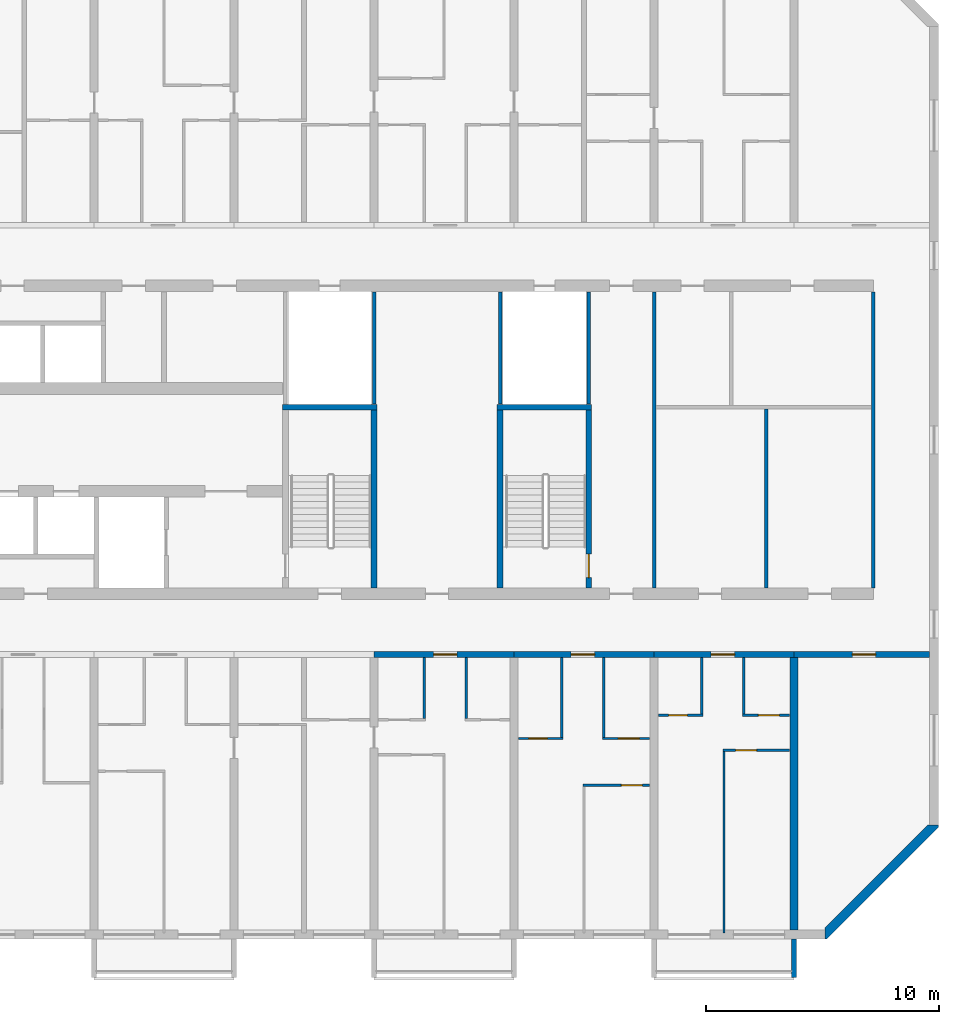
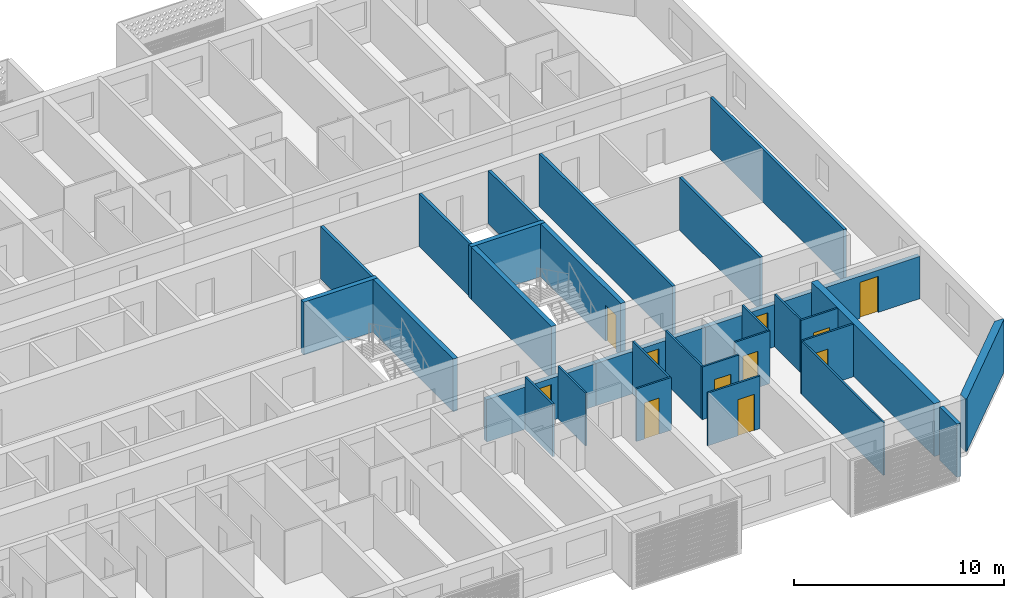
# One storey, part 14 of 31: 31 walls, 11 doors, 11 openings.
"""IFC4 building model written with IfcOpenShell, lengths in metres."""

from ifc_helpers import new_model, si_unit, direction, frame, frame_2d, origin, place, context, subcontext, project, spatial, polyline, rectangle, outline, extrude, source, transform, mapped, material, layer, layer_set, type_object, element, fill, save


model = new_model("IFC4")

# Units and contexts
model_context = context("Model", 3, precision=1e-05, world=origin(), true_north=direction((0.0, 1.0)))
body_context = subcontext(model_context, "Body", "Model", "MODEL_VIEW")
ifc_project = project(units=[si_unit("LENGTHUNIT", "METRE"), si_unit("AREAUNIT", "SQUARE_METRE"), si_unit("VOLUMEUNIT", "CUBIC_METRE"), si_unit("PLANEANGLEUNIT", "RADIAN"), si_unit("MASSUNIT", "GRAM", prefix="KILO")], contexts=[model_context])

# Site, building, storey
site_placement = place(None, origin())
site = spatial("IfcSite", under=ifc_project, at=site_placement, CompositionType="ELEMENT")
building_placement = place(site_placement, origin())
building = spatial("IfcBuilding", under=site, at=building_placement, Name="Poui Terraces", CompositionType="ELEMENT")
storey_placement = place(building_placement, frame((0.0, 0.0, 82.800048828125)))
storey = spatial("IfcBuildingStorey", under=building, at=storey_placement, Name="L22", CompositionType="ELEMENT", Elevation=82.800048828125)

# Walls
ifc_material_1 = material(Name="Fire-rated plasterboard wall")
ifc_layer_1 = layer(ifc_material_1, 0.14990234375)
ifc_layer_set_1 = layer_set([ifc_layer_1], Name="Fire-rated plasterboard wall")
wall_type_1 = type_object("IfcWallType", Name="CORRIDOR WALL 150", PredefinedType="PARTITIONING", material=ifc_layer_set_1)
for number, where, z_axis, x_axis, name in (
    (1, (84.0, 14.860107421875, 0.0), (0.0, 0.0, 1.0), (0.0, 1.0, 0.0), "CORRIDOR WALL 150"),
    (2, (93.39990234375, 14.860107421875, 0.0), (0.0, 0.0, 1.0), (0.0, 1.0, 0.0), "CORRIDOR WALL 150"),
):
    element("IfcWall", number, at=place(storey_placement, frame(where, z_axis=z_axis, x_axis=x_axis)), inside=storey, type_object=wall_type_1, Name=name, PredefinedType="PARTITIONING", context=body_context, shape_type="SweptSolid", body=[
        extrude(rectangle(XDim=12.679931640625, YDim=0.14990234375, at=frame_2d((6.33984375, 0.0))), origin(), (0.0, 0.0, 1.0), 3.06005859375),
    ])

# Wall, opening, door
ifc_material_2 = material(Name="Concrete 65 MPa", Category="concrete")
ifc_layer_2 = layer(ifc_material_2, 0.25)
ifc_layer_set_2 = layer_set([ifc_layer_2], Name="Concrete 65 MPa")
wall_type_2 = type_object("IfcWallType", Name="CORRIDOR WALL 250 65MPa", PredefinedType="SHEAR", material=ifc_layer_set_2)
wall_1_placement = place(storey_placement, frame((72.0, 12.0, 0.0), z_axis=(0.0, 0.0, 1.0), x_axis=(1.0, 0.0, 0.0)))
wall_1 = element("IfcWall", 3, at=wall_1_placement, inside=storey, type_object=wall_type_2, Name="CORRIDOR WALL LINE B BAY 12", PredefinedType="SHEAR", context=body_context, shape_type="SweptSolid", body=[
    extrude(rectangle(XDim=6.0, YDim=0.25, at=frame_2d((3.0, 0.0))), origin(), (0.0, 0.0, 1.0), 2.4599609375),
])
opening_1_placement = place(wall_1_placement, frame((2.550048828125, 0.0, 0.0)))
opening_1 = element("IfcOpeningElement", 4, at=opening_1_placement, cuts=wall_1, Name="Opening FD30S", PredefinedType="OPENING", context=body_context, shape_type="SweptSolid", body=[
    extrude(rectangle(XDim=1.0, YDim=2.10009765625, at=frame_2d((0.5, 1.050048828125))), frame((0.0, 0.135009765625, 0.0), z_axis=(0.0, -1.0, 0.0), x_axis=(1.0, 0.0, 0.0)), (0.0, 0.0, 1.0), 0.27001953125),
])
ifc_material_3 = material(Name="Steel fire door", Category="steel")
door_type_1 = type_object("IfcDoorType", Name="FLAT ENTRANCE DOOR 1000 X 2100", OperationType="NOTDEFINED", PredefinedType="DOOR", material=ifc_material_3)
door_1_placement = place(opening_1_placement, frame((1.0, 0.0, 0.0), z_axis=(0.0, 0.0, 1.0), x_axis=(-1.0, 0.0, 0.0)))
door_1 = element("IfcDoor", 5, at=door_1_placement, inside=storey, type_object=door_type_1, Name="FLAT ENTRANCE DOOR 125", OperationType="SINGLE_SWING_LEFT", OverallHeight=2.10009765625, OverallWidth=1.0, PredefinedType="DOOR", context=body_context, shape_type="SweptSolid", body=[
    extrude(rectangle(XDim=1.0, YDim=2.10009765625, at=frame_2d((0.5, 1.050048828125))), frame((0.0, 0.02490234375, 0.0), z_axis=(0.0, -1.0, 0.0), x_axis=(1.0, 0.0, 0.0)), (0.0, 0.0, 1.0), 0.050048828125),
])
fill(opening_1, door_1)

wall_2_placement = place(storey_placement, frame((78.0, 12.0, 0.0), z_axis=(0.0, 0.0, 1.0), x_axis=(1.0, 0.0, 0.0)))
wall_2 = element("IfcWall", 6, at=wall_2_placement, inside=storey, type_object=wall_type_2, Name="CORRIDOR WALL LINE B BAY 13", PredefinedType="SHEAR", context=body_context, shape_type="SweptSolid", body=[
    extrude(rectangle(XDim=6.0, YDim=0.25, at=frame_2d((3.0, 0.0))), origin(), (0.0, 0.0, 1.0), 2.4599609375),
])
opening_2_placement = place(wall_2_placement, frame((2.449951171875, 0.0, 0.0)))
opening_2 = element("IfcOpeningElement", 7, at=opening_2_placement, cuts=wall_2, Name="Opening FD30S", PredefinedType="OPENING", context=body_context, shape_type="SweptSolid", body=[
    extrude(rectangle(XDim=1.0, YDim=2.10009765625, at=frame_2d((0.5, 1.050048828125))), frame((0.0, 0.135009765625, 0.0), z_axis=(0.0, -1.0, 0.0), x_axis=(1.0, 0.0, 0.0)), (0.0, 0.0, 1.0), 0.27001953125),
])
door_2_placement = place(opening_2_placement, frame((1.0, 0.0, 0.0), z_axis=(0.0, 0.0, 1.0), x_axis=(-1.0, 0.0, 0.0)))
door_2 = element("IfcDoor", 8, at=door_2_placement, inside=storey, type_object=door_type_1, Name="FLAT ENTRANCE DOOR 128", OperationType="SINGLE_SWING_RIGHT", OverallHeight=2.10009765625, OverallWidth=1.0, PredefinedType="DOOR", context=body_context, shape_type="SweptSolid", body=[
    extrude(rectangle(XDim=1.0, YDim=2.10009765625, at=frame_2d((0.5, 1.050048828125))), frame((0.0, 0.02490234375, 0.0), z_axis=(0.0, -1.0, 0.0), x_axis=(1.0, 0.0, 0.0)), (0.0, 0.0, 1.0), 0.050048828125),
])
fill(opening_2, door_2)

wall_3_placement = place(storey_placement, frame((84.0, 12.0, 0.0), z_axis=(0.0, 0.0, 1.0), x_axis=(1.0, 0.0, 0.0)))
wall_3 = element("IfcWall", 9, at=wall_3_placement, inside=storey, type_object=wall_type_2, Name="CORRIDOR WALL LINE B BAY 14", PredefinedType="SHEAR", context=body_context, shape_type="SweptSolid", body=[
    extrude(rectangle(XDim=6.0, YDim=0.25, at=frame_2d((3.0, 0.0))), origin(), (0.0, 0.0, 1.0), 2.4599609375),
])
opening_3_placement = place(wall_3_placement, frame((2.449951171875, 0.0, 0.0)))
opening_3 = element("IfcOpeningElement", 10, at=opening_3_placement, cuts=wall_3, Name="Opening FD30S", PredefinedType="OPENING", context=body_context, shape_type="SweptSolid", body=[
    extrude(rectangle(XDim=1.0, YDim=2.10009765625, at=frame_2d((0.5, 1.050048828125))), frame((0.0, 0.135009765625, 0.0), z_axis=(0.0, -1.0, 0.0), x_axis=(1.0, 0.0, 0.0)), (0.0, 0.0, 1.0), 0.27001953125),
])
door_3_placement = place(opening_3_placement, frame((1.0, 0.0, 0.0), z_axis=(0.0, 0.0, 1.0), x_axis=(-1.0, 0.0, 0.0)))
door_3 = element("IfcDoor", 11, at=door_3_placement, inside=storey, type_object=door_type_1, Name="FLAT ENTRANCE DOOR 132", OperationType="SINGLE_SWING_RIGHT", OverallHeight=2.10009765625, OverallWidth=1.0, PredefinedType="DOOR", context=body_context, shape_type="SweptSolid", body=[
    extrude(rectangle(XDim=1.0, YDim=2.10009765625, at=frame_2d((0.5, 1.050048828125))), frame((0.0, 0.02490234375, 0.0), z_axis=(0.0, -1.0, 0.0), x_axis=(1.0, 0.0, 0.0)), (0.0, 0.0, 1.0), 0.050048828125),
])
fill(opening_3, door_3)

wall_4_placement = place(storey_placement, frame((90.0, 12.0, 0.0), z_axis=(0.0, 0.0, 1.0), x_axis=(1.0, 0.0, 0.0)))
wall_4 = element("IfcWall", 12, at=wall_4_placement, inside=storey, type_object=wall_type_2, Name="CORRIDOR WALL LINE B BAY 15", PredefinedType="SHEAR", context=body_context, shape_type="SweptSolid", body=[
    extrude(rectangle(XDim=5.800048828125, YDim=0.25, at=frame_2d((2.89990234375, 0.0))), origin(), (0.0, 0.0, 1.0), 2.4599609375),
])
opening_4_placement = place(wall_4_placement, frame((2.5, 0.0, 0.0)))
opening_4 = element("IfcOpeningElement", 13, at=opening_4_placement, cuts=wall_4, Name="Opening D100", PredefinedType="OPENING", context=body_context, shape_type="SweptSolid", body=[
    extrude(rectangle(XDim=1.0, YDim=2.10009765625, at=frame_2d((0.5, 1.050048828125))), frame((0.0, 0.135009765625, 0.0), z_axis=(0.0, -1.0, 0.0), x_axis=(1.0, 0.0, 0.0)), (0.0, 0.0, 1.0), 0.27001953125),
])
ifc_material_4 = material(Name="Solid core timber door", Category="wood")
door_type_2 = type_object("IfcDoorType", Name="ACCESSIBLE INTERNAL DOOR 1000 X 2100", OperationType="NOTDEFINED", PredefinedType="DOOR", material=ifc_material_4)
door_4_placement = place(opening_4_placement, frame((1.0, 0.0, 0.0), z_axis=(0.0, 0.0, 1.0), x_axis=(-1.0, 0.0, 0.0)))
door_4 = element("IfcDoor", 14, at=door_4_placement, inside=storey, type_object=door_type_2, Name="ACCESSIBLE INTERNAL DOOR 135", OperationType="SINGLE_SWING_RIGHT", OverallHeight=2.10009765625, OverallWidth=1.0, PredefinedType="DOOR", context=body_context, shape_type="SweptSolid", body=[
    extrude(rectangle(XDim=1.0, YDim=2.10009765625, at=frame_2d((0.5, 1.050048828125))), frame((0.0, 0.02490234375, 0.0), z_axis=(0.0, -1.0, 0.0), x_axis=(1.0, 0.0, 0.0)), (0.0, 0.0, 1.0), 0.050048828125),
])
fill(opening_4, door_4)

# Wall
ifc_layer_3 = layer(ifc_material_2, 0.35009765625)
ifc_layer_set_3 = layer_set([ifc_layer_3], Name="Concrete 65 MPa")
wall_type_3 = type_object("IfcWallType", Name="CROSS WALL 350 65MPa", PredefinedType="SHEAR", material=ifc_layer_set_3)
wall_5_placement = place(storey_placement, frame((90.0, 0.199951171875, 0.0), z_axis=(0.0, 0.0, 1.0), x_axis=(0.0, 1.0, 0.0)))
element("IfcWall", 15, at=wall_5_placement, inside=storey, type_object=wall_type_3, Name="CROSS WALL LINE 16 SOUTH", PredefinedType="SHEAR", context=body_context, shape_type="SweptSolid", body=[
    extrude(rectangle(XDim=11.675048828125, YDim=0.35009765625, at=frame_2d((5.83740234375, 0.0))), origin(), (0.0, 0.0, 1.0), 3.06005859375),
])

# Wall, opening, door
ifc_material_5 = material(Name="Plasterboard partition")
ifc_layer_4 = layer(ifc_material_5, 0.10009765625)
ifc_layer_set_4 = layer_set([ifc_layer_4], Name="Plasterboard partition")
wall_type_4 = type_object("IfcWallType", Name="FLAT PARTITION 100", PredefinedType="PARTITIONING", material=ifc_layer_set_4)
wall_6_placement = place(storey_placement, frame((80.949951171875, 6.39990234375, 0.0), z_axis=(0.0, 0.0, 1.0), x_axis=(1.0, 0.0, 0.0)))
wall_6 = element("IfcWall", 16, at=wall_6_placement, inside=storey, type_object=wall_type_4, Name="FLAT PARTITION 100", PredefinedType="PARTITIONING", context=body_context, shape_type="SweptSolid", body=[
    extrude(rectangle(XDim=2.864990234375, YDim=0.10009765625, at=frame_2d((1.4326171875, 0.0))), origin(), (0.0, 0.0, 1.0), 3.06005859375),
])
opening_5_placement = place(wall_6_placement, frame((1.64990234375, 0.0, 0.0)))
opening_5 = element("IfcOpeningElement", 17, at=opening_5_placement, cuts=wall_6, Name="Opening D90", PredefinedType="OPENING", context=body_context, shape_type="SweptSolid", body=[
    extrude(rectangle(XDim=0.89990234375, YDim=2.10009765625, at=frame_2d((0.449951171875, 1.050048828125))), frame((0.0, 0.06005859375, 0.0), z_axis=(0.0, -1.0, 0.0), x_axis=(1.0, 0.0, 0.0)), (0.0, 0.0, 1.0), 0.1201171875),
])
door_type_3 = type_object("IfcDoorType", Name="INTERNAL DOOR 900 X 2100", OperationType="NOTDEFINED", PredefinedType="DOOR", material=ifc_material_4)
door_5_placement = place(opening_5_placement, origin())
door_5 = element("IfcDoor", 18, at=door_5_placement, inside=storey, type_object=door_type_3, Name="INTERNAL DOOR 130", OperationType="SINGLE_SWING_LEFT", OverallHeight=2.10009765625, OverallWidth=0.89990234375, PredefinedType="DOOR", context=body_context, shape_type="SweptSolid", body=[
    extrude(rectangle(XDim=0.89990234375, YDim=2.10009765625, at=frame_2d((0.449951171875, 1.050048828125))), frame((0.0, 0.02490234375, 0.0), z_axis=(0.0, -1.0, 0.0), x_axis=(1.0, 0.0, 0.0)), (0.0, 0.0, 1.0), 0.050048828125),
])
fill(opening_5, door_5)

wall_7_placement = place(storey_placement, frame((86.949951171875, 7.89990234375, 0.0), z_axis=(0.0, 0.0, 1.0), x_axis=(1.0, 0.0, 0.0)))
wall_7 = element("IfcWall", 19, at=wall_7_placement, inside=storey, type_object=wall_type_4, Name="FLAT PARTITION 100", PredefinedType="PARTITIONING", context=body_context, shape_type="SweptSolid", body=[
    extrude(rectangle(XDim=2.864990234375, YDim=0.10009765625, at=frame_2d((1.4326171875, 0.0))), origin(), (0.0, 0.0, 1.0), 3.06005859375),
])
opening_6_placement = place(wall_7_placement, frame((0.550048828125, 0.0, 0.0)))
opening_6 = element("IfcOpeningElement", 20, at=opening_6_placement, cuts=wall_7, Name="Opening D90", PredefinedType="OPENING", context=body_context, shape_type="SweptSolid", body=[
    extrude(rectangle(XDim=0.89990234375, YDim=2.10009765625, at=frame_2d((0.449951171875, 1.050048828125))), frame((0.0, 0.06005859375, 0.0), z_axis=(0.0, -1.0, 0.0), x_axis=(1.0, 0.0, 0.0)), (0.0, 0.0, 1.0), 0.1201171875),
])
door_6_placement = place(opening_6_placement, origin())
door_6 = element("IfcDoor", 21, at=door_6_placement, inside=storey, type_object=door_type_3, Name="INTERNAL DOOR 133", OperationType="SINGLE_SWING_RIGHT", OverallHeight=2.10009765625, OverallWidth=0.89990234375, PredefinedType="DOOR", context=body_context, shape_type="SweptSolid", body=[
    extrude(rectangle(XDim=0.89990234375, YDim=2.10009765625, at=frame_2d((0.449951171875, 1.050048828125))), frame((0.0, 0.02490234375, 0.0), z_axis=(0.0, -1.0, 0.0), x_axis=(1.0, 0.0, 0.0)), (0.0, 0.0, 1.0), 0.050048828125),
])
fill(opening_6, door_6)

wall_8_placement = place(storey_placement, frame((78.18505859375, 8.39990234375, 0.0), z_axis=(0.0, 0.0, 1.0), x_axis=(1.0, 0.0, 0.0)))
wall_8 = element("IfcWall", 22, at=wall_8_placement, inside=storey, type_object=wall_type_4, Name="FLAT PARTITION 100", PredefinedType="PARTITIONING", context=body_context, shape_type="SweptSolid", body=[
    extrude(rectangle(XDim=1.9150390625, YDim=0.10009765625, at=frame_2d((0.95751953125, 0.0))), origin(), (0.0, 0.0, 1.0), 3.06005859375),
])
opening_7_placement = place(wall_8_placement, frame((0.43994140625, 0.0, 0.0)))
opening_7 = element("IfcOpeningElement", 23, at=opening_7_placement, cuts=wall_8, Name="Opening D80", PredefinedType="OPENING", context=body_context, shape_type="SweptSolid", body=[
    extrude(rectangle(XDim=0.800048828125, YDim=2.10009765625, at=frame_2d((0.39990234375, 1.050048828125))), frame((0.0, 0.06005859375, 0.0), z_axis=(0.0, -1.0, 0.0), x_axis=(1.0, 0.0, 0.0)), (0.0, 0.0, 1.0), 0.1201171875),
])
door_type_4 = type_object("IfcDoorType", Name="BATHROOM, LAUNDRY AND STORE DOOR 800 X 2100", OperationType="NOTDEFINED", PredefinedType="DOOR", material=ifc_material_4)
door_7_placement = place(opening_7_placement, origin())
door_7 = element("IfcDoor", 24, at=door_7_placement, inside=storey, type_object=door_type_4, Name="BATHROOM, LAUNDRY AND STORE DOOR 127", OperationType="SINGLE_SWING_LEFT", OverallHeight=2.10009765625, OverallWidth=0.800048828125, PredefinedType="DOOR", context=body_context, shape_type="SweptSolid", body=[
    extrude(rectangle(XDim=0.800048828125, YDim=2.10009765625, at=frame_2d((0.39990234375, 1.050048828125))), frame((0.0, 0.02490234375, 0.0), z_axis=(0.0, -1.0, 0.0), x_axis=(1.0, 0.0, 0.0)), (0.0, 0.0, 1.0), 0.050048828125),
])
fill(opening_7, door_7)

wall_9_placement = place(storey_placement, frame((81.800048828125, 8.39990234375, 0.0), z_axis=(0.0, 0.0, 1.0), x_axis=(1.0, 0.0, 0.0)))
wall_9 = element("IfcWall", 25, at=wall_9_placement, inside=storey, type_object=wall_type_4, Name="FLAT PARTITION 100", PredefinedType="PARTITIONING", context=body_context, shape_type="SweptSolid", body=[
    extrude(rectangle(XDim=2.014892578125, YDim=0.10009765625, at=frame_2d((1.00732421875, 0.0))), origin(), (0.0, 0.0, 1.0), 3.06005859375),
])
opening_8_placement = place(wall_9_placement, frame((0.675048828125, 0.0, 0.0)))
opening_8 = element("IfcOpeningElement", 26, at=opening_8_placement, cuts=wall_9, Name="Opening D90", PredefinedType="OPENING", context=body_context, shape_type="SweptSolid", body=[
    extrude(rectangle(XDim=0.89990234375, YDim=2.10009765625, at=frame_2d((0.449951171875, 1.050048828125))), frame((0.0, 0.06005859375, 0.0), z_axis=(0.0, -1.0, 0.0), x_axis=(1.0, 0.0, 0.0)), (0.0, 0.0, 1.0), 0.1201171875),
])
door_8_placement = place(opening_8_placement, origin())
door_8 = element("IfcDoor", 27, at=door_8_placement, inside=storey, type_object=door_type_3, Name="INTERNAL DOOR 129", OperationType="SINGLE_SWING_RIGHT", OverallHeight=2.10009765625, OverallWidth=0.89990234375, PredefinedType="DOOR", context=body_context, shape_type="SweptSolid", body=[
    extrude(rectangle(XDim=0.89990234375, YDim=2.10009765625, at=frame_2d((0.449951171875, 1.050048828125))), frame((0.0, 0.02490234375, 0.0), z_axis=(0.0, -1.0, 0.0), x_axis=(1.0, 0.0, 0.0)), (0.0, 0.0, 1.0), 0.050048828125),
])
fill(opening_8, door_8)

wall_10_placement = place(storey_placement, frame((84.18505859375, 9.39990234375, 0.0), z_axis=(0.0, 0.0, 1.0), x_axis=(1.0, 0.0, 0.0)))
wall_10 = element("IfcWall", 28, at=wall_10_placement, inside=storey, type_object=wall_type_4, Name="FLAT PARTITION 100", PredefinedType="PARTITIONING", context=body_context, shape_type="SweptSolid", body=[
    extrude(rectangle(XDim=1.9150390625, YDim=0.10009765625, at=frame_2d((0.95751953125, 0.0))), origin(), (0.0, 0.0, 1.0), 3.06005859375),
])
opening_9_placement = place(wall_10_placement, frame((0.43994140625, 0.0, 0.0)))
opening_9 = element("IfcOpeningElement", 29, at=opening_9_placement, cuts=wall_10, Name="Opening D80", PredefinedType="OPENING", context=body_context, shape_type="SweptSolid", body=[
    extrude(rectangle(XDim=0.800048828125, YDim=2.10009765625, at=frame_2d((0.39990234375, 1.050048828125))), frame((0.0, 0.06005859375, 0.0), z_axis=(0.0, -1.0, 0.0), x_axis=(1.0, 0.0, 0.0)), (0.0, 0.0, 1.0), 0.1201171875),
])
door_9_placement = place(opening_9_placement, origin())
door_9 = element("IfcDoor", 30, at=door_9_placement, inside=storey, type_object=door_type_4, Name="BATHROOM, LAUNDRY AND STORE DOOR 131", OperationType="SINGLE_SWING_RIGHT", OverallHeight=2.10009765625, OverallWidth=0.800048828125, PredefinedType="DOOR", context=body_context, shape_type="SweptSolid", body=[
    extrude(rectangle(XDim=0.800048828125, YDim=2.10009765625, at=frame_2d((0.39990234375, 1.050048828125))), frame((0.0, 0.02490234375, 0.0), z_axis=(0.0, -1.0, 0.0), x_axis=(1.0, 0.0, 0.0)), (0.0, 0.0, 1.0), 0.050048828125),
])
fill(opening_9, door_9)

wall_11_placement = place(storey_placement, frame((87.800048828125, 9.39990234375, 0.0), z_axis=(0.0, 0.0, 1.0), x_axis=(1.0, 0.0, 0.0)))
wall_11 = element("IfcWall", 31, at=wall_11_placement, inside=storey, type_object=wall_type_4, Name="FLAT PARTITION 100", PredefinedType="PARTITIONING", context=body_context, shape_type="SweptSolid", body=[
    extrude(rectangle(XDim=2.014892578125, YDim=0.10009765625, at=frame_2d((1.00732421875, 0.0))), origin(), (0.0, 0.0, 1.0), 3.06005859375),
])
opening_10_placement = place(wall_11_placement, frame((0.675048828125, 0.0, 0.0)))
opening_10 = element("IfcOpeningElement", 32, at=opening_10_placement, cuts=wall_11, Name="Opening D90", PredefinedType="OPENING", context=body_context, shape_type="SweptSolid", body=[
    extrude(rectangle(XDim=0.89990234375, YDim=2.10009765625, at=frame_2d((0.449951171875, 1.050048828125))), frame((0.0, 0.06005859375, 0.0), z_axis=(0.0, -1.0, 0.0), x_axis=(1.0, 0.0, 0.0)), (0.0, 0.0, 1.0), 0.1201171875),
])
door_10_placement = place(opening_10_placement, origin())
door_10 = element("IfcDoor", 33, at=door_10_placement, inside=storey, type_object=door_type_3, Name="INTERNAL DOOR 134", OperationType="SINGLE_SWING_LEFT", OverallHeight=2.10009765625, OverallWidth=0.89990234375, PredefinedType="DOOR", context=body_context, shape_type="SweptSolid", body=[
    extrude(rectangle(XDim=0.89990234375, YDim=2.10009765625, at=frame_2d((0.449951171875, 1.050048828125))), frame((0.0, 0.02490234375, 0.0), z_axis=(0.0, -1.0, 0.0), x_axis=(1.0, 0.0, 0.0)), (0.0, 0.0, 1.0), 0.050048828125),
])
fill(opening_10, door_10)

# Walls
for number, where, z_axis, x_axis, name in (
    (34, (74.14990234375, 9.25, 0.0), (0.0, 0.0, 1.0), (0.0, 1.0, 0.0), "FLAT PARTITION 100"),
    (35, (75.949951171875, 9.25, 0.0), (0.0, 0.0, 1.0), (0.0, 1.0, 0.0), "FLAT PARTITION 100"),
):
    element("IfcWall", number, at=place(storey_placement, frame(where, z_axis=z_axis, x_axis=x_axis)), inside=storey, type_object=wall_type_4, Name=name, PredefinedType="PARTITIONING", context=body_context, shape_type="SweptSolid", body=[
        extrude(rectangle(XDim=2.614990234375, YDim=0.10009765625, at=frame_2d((1.3076171875, 0.0))), origin(), (0.0, 0.0, 1.0), 3.06005859375),
    ])
for number, where, z_axis, x_axis, name in (
    (36, (80.050048828125, 8.449951171875, 0.0), (0.0, 0.0, 1.0), (0.0, 1.0, 0.0), "FLAT PARTITION 100"),
    (37, (81.85009765625, 8.449951171875, 0.0), (0.0, 0.0, 1.0), (0.0, 1.0, 0.0), "FLAT PARTITION 100"),
):
    element("IfcWall", number, at=place(storey_placement, frame(where, z_axis=z_axis, x_axis=x_axis)), inside=storey, type_object=wall_type_4, Name=name, PredefinedType="PARTITIONING", context=body_context, shape_type="SweptSolid", body=[
        extrude(rectangle(XDim=3.4150390625, YDim=0.10009765625, at=frame_2d((1.70751953125, 0.0))), origin(), (0.0, 0.0, 1.0), 3.06005859375),
    ])
wall_12_placement = place(storey_placement, frame((86.050048828125, 9.449951171875, 0.0), z_axis=(0.0, 0.0, 1.0), x_axis=(0.0, 1.0, 0.0)))
element("IfcWall", 38, at=wall_12_placement, inside=storey, type_object=wall_type_4, Name="FLAT PARTITION 100", PredefinedType="PARTITIONING", context=body_context, shape_type="SweptSolid", body=[
    extrude(rectangle(XDim=2.4150390625, YDim=0.10009765625, at=frame_2d((1.20751953125, 0.0))), origin(), (0.0, 0.0, 1.0), 3.06005859375),
])
wall_13_placement = place(storey_placement, frame((87.0, 0.06005859375, 0.0), z_axis=(0.0, 0.0, 1.0), x_axis=(0.0, 1.0, 0.0)))
element("IfcWall", 39, at=wall_13_placement, inside=storey, type_object=wall_type_4, Name="FLAT PARTITION 100", PredefinedType="PARTITIONING", context=body_context, shape_type="SweptSolid", body=[
    extrude(rectangle(XDim=7.7900390625, YDim=0.10009765625, at=frame_2d((3.89501953125, 0.0))), origin(), (0.0, 0.0, 1.0), 3.06005859375),
])
wall_14_placement = place(storey_placement, frame((87.85009765625, 9.449951171875, 0.0), z_axis=(0.0, 0.0, 1.0), x_axis=(0.0, 1.0, 0.0)))
element("IfcWall", 40, at=wall_14_placement, inside=storey, type_object=wall_type_4, Name="FLAT PARTITION 100", PredefinedType="PARTITIONING", context=body_context, shape_type="SweptSolid", body=[
    extrude(rectangle(XDim=2.4150390625, YDim=0.10009765625, at=frame_2d((1.20751953125, 0.0))), origin(), (0.0, 0.0, 1.0), 3.06005859375),
])
ifc_layer_5 = layer(ifc_material_5, 0.14990234375)
ifc_layer_set_5 = layer_set([ifc_layer_5], Name="Plasterboard partition")
wall_type_5 = type_object("IfcWallType", Name="PARTITION WALL 150", PredefinedType="PARTITIONING", material=ifc_layer_set_5)
wall_15_placement = place(storey_placement, frame((88.800048828125, 14.860107421875, 0.0), z_axis=(0.0, 0.0, 1.0), x_axis=(0.0, 1.0, 0.0)))
element("IfcWall", 41, at=wall_15_placement, inside=storey, type_object=wall_type_5, Name="PARTITION WALL 150", PredefinedType="PARTITIONING", context=body_context, shape_type="SweptSolid", body=[
    extrude(rectangle(XDim=7.664794921875, YDim=0.14990234375, at=frame_2d((3.83251953125, 0.0))), origin(), (0.0, 0.0, 1.0), 3.06005859375),
])
ifc_material_6 = material(Name="Fire-rated plasterboard riser wall")
ifc_layer_6 = layer(ifc_material_6, 0.14990234375)
ifc_layer_set_6 = layer_set([ifc_layer_6], Name="Fire-rated plasterboard riser wall")
wall_type_6 = type_object("IfcWallType", Name="RISER WALL 150", PredefinedType="PARTITIONING", material=ifc_layer_set_6)
for number, where, z_axis, x_axis, name in (
    (42, (72.0, 22.735107421875, 0.0), (0.0, 0.0, 1.0), (0.0, 1.0, 0.0), "RISER WALL 150"),
    (43, (77.39990234375, 22.735107421875, 0.0), (0.0, 0.0, 1.0), (0.0, 1.0, 0.0), "RISER WALL 150"),
    (44, (81.199951171875, 22.735107421875, 0.0), (0.0, 0.0, 1.0), (0.0, 1.0, 0.0), "RISER WALL 150"),
):
    element("IfcWall", number, at=place(storey_placement, frame(where, z_axis=z_axis, x_axis=x_axis)), inside=storey, type_object=wall_type_6, Name=name, PredefinedType="PARTITIONING", context=body_context, shape_type="SweptSolid", body=[
        extrude(rectangle(XDim=4.804931640625, YDim=0.14990234375, at=frame_2d((2.40234375, 0.0))), origin(), (0.0, 0.0, 1.0), 3.06005859375),
    ])
ifc_layer_7 = layer(ifc_material_2, 0.25)
ifc_layer_set_7 = layer_set([ifc_layer_7], Name="Concrete 65 MPa")
wall_type_7 = type_object("IfcWallType", Name="STAIR CORE WALL 250 65 MPA", PredefinedType="SOLIDWALL", material=ifc_layer_set_7)
wall_16_placement = place(storey_placement, frame((72.0, 14.85009765625, 0.0), z_axis=(0.0, 0.0, 1.0), x_axis=(0.0, 1.0, 0.0)))
element("IfcWall", 45, at=wall_16_placement, inside=storey, type_object=wall_type_7, Name="STAIR CORE WALL", PredefinedType="SOLIDWALL", context=body_context, shape_type="SweptSolid", body=[
    extrude(rectangle(XDim=7.625, YDim=0.25, at=frame_2d((3.8125, 0.0))), origin(), (0.0, 0.0, 1.0), 3.06005859375),
])
wall_17_placement = place(storey_placement, frame((68.074951171875, 22.60009765625, 0.0), z_axis=(0.0, 0.0, 1.0), x_axis=(1.0, 0.0, 0.0)))
element("IfcWall", 46, at=wall_17_placement, inside=storey, type_object=wall_type_7, Name="STAIR CORE WALL", PredefinedType="SOLIDWALL", context=body_context, shape_type="SweptSolid", body=[
    extrude(rectangle(XDim=4.050048828125, YDim=0.25, at=frame_2d((2.02490234375, 0.0))), origin(), (0.0, 0.0, 1.0), 3.06005859375),
])
wall_18_placement = place(storey_placement, frame((77.39990234375, 14.85009765625, 0.0), z_axis=(0.0, 0.0, 1.0), x_axis=(0.0, 1.0, 0.0)))
element("IfcWall", 47, at=wall_18_placement, inside=storey, type_object=wall_type_7, Name="STAIR CORE WALL", PredefinedType="SOLIDWALL", context=body_context, shape_type="SweptSolid", body=[
    extrude(rectangle(XDim=7.625, YDim=0.25, at=frame_2d((3.8125, 0.0))), origin(), (0.0, 0.0, 1.0), 3.06005859375),
])

# Wall, opening, door
wall_19_placement = place(storey_placement, frame((81.199951171875, 14.85009765625, 0.0), z_axis=(0.0, 0.0, 1.0), x_axis=(0.0, 1.0, 0.0)))
wall_19 = element("IfcWall", 48, at=wall_19_placement, inside=storey, type_object=wall_type_7, Name="STAIR CORE WALL", PredefinedType="SOLIDWALL", context=body_context, shape_type="SweptSolid", body=[
    extrude(rectangle(XDim=7.625, YDim=0.25, at=frame_2d((3.8125, 0.0))), origin(), (0.0, 0.0, 1.0), 3.06005859375),
])
opening_11_placement = place(wall_19_placement, frame((0.449951171875, 0.0, 0.0)))
opening_11 = element("IfcOpeningElement", 49, at=opening_11_placement, cuts=wall_19, Name="Opening FD60S", PredefinedType="OPENING", context=body_context, shape_type="SweptSolid", body=[
    extrude(rectangle(XDim=1.0, YDim=2.10009765625, at=frame_2d((0.5, 1.050048828125))), frame((0.0, 0.135009765625, 0.0), z_axis=(0.0, -1.0, 0.0), x_axis=(1.0, 0.0, 0.0)), (0.0, 0.0, 1.0), 0.27001953125),
])
door_type_5 = type_object("IfcDoorType", Name="STAIR DOOR 1000 X 2100", OperationType="NOTDEFINED", PredefinedType="DOOR", material=ifc_material_3)
door_11_placement = place(opening_11_placement, origin())
door_11 = element("IfcDoor", 50, at=door_11_placement, inside=storey, type_object=door_type_5, Name="STAIR DOOR 151", OperationType="SINGLE_SWING_LEFT", OverallHeight=2.10009765625, OverallWidth=1.0, PredefinedType="DOOR", context=body_context, shape_type="SweptSolid", body=[
    extrude(rectangle(XDim=1.0, YDim=2.10009765625, at=frame_2d((0.5, 1.050048828125))), frame((0.0, 0.02490234375, 0.0), z_axis=(0.0, -1.0, 0.0), x_axis=(1.0, 0.0, 0.0)), (0.0, 0.0, 1.0), 0.050048828125),
])
fill(opening_11, door_11)

# Walls
wall_20_placement = place(storey_placement, frame((77.27490234375, 22.60009765625, 0.0), z_axis=(0.0, 0.0, 1.0), x_axis=(1.0, 0.0, 0.0)))
element("IfcWall", 51, at=wall_20_placement, inside=storey, type_object=wall_type_7, Name="STAIR CORE WALL", PredefinedType="SOLIDWALL", context=body_context, shape_type="SweptSolid", body=[
    extrude(rectangle(XDim=4.050048828125, YDim=0.25, at=frame_2d((2.02490234375, 0.0))), origin(), (0.0, 0.0, 1.0), 3.06005859375),
])
ifc_material_7 = material(Name="Precast concrete 40 MPa", Category="concrete")
ifc_layer_8 = layer(ifc_material_7, 0.39990234375)
ifc_layer_set_8 = layer_set([ifc_layer_8], Name="Precast concrete 40 MPa")
wall_type_8 = type_object("IfcWallType", Name="TERRACOTTA CLAD CHAMFER WALL 400", PredefinedType="STANDARD", material=ifc_layer_set_8)
wall_21_placement = place(storey_placement, origin())
element("IfcWall", 52, at=wall_21_placement, inside=storey, type_object=wall_type_8, Name="CHAMFER WALL CH01", PredefinedType="STANDARD", context=body_context, shape_type="SweptSolid", body=[
    extrude(outline(polyline([(91.317138671875, -0.199951171875), (91.39990234375, -0.199951171875), (96.199951171875, 4.60009765625), (96.199951171875, 4.682861328125), (95.71728515625, 4.682861328125), (91.317138671875, 0.28271484375), (91.317138671875, -0.199951171875)])), origin(), (0.0, 0.0, 1.0), 3.06005859375),
])
ifc_layer_9 = layer(ifc_material_7, 0.199951171875)
ifc_layer_set_9 = layer_set([ifc_layer_9], Name="Precast concrete 40 MPa")
wall_type_9 = type_object("IfcWallType", Name="REAR FIN 200", PredefinedType="STANDARD", material=ifc_layer_set_9)
shared_shape = source(origin(), body_context, "Body", "SweptSolid", [
    extrude(outline(polyline([(0.0, 0.0), (0.2001953125, 0.0), (0.2001953125, 1.650146484375), (0.0, 1.650146484375), (0.0, 0.0)])), origin(), (0.0, 0.0, 1.0), 3.099853515625),
])
wall_22_placement = place(storey_placement, frame((89.89990234375, -1.85009765625, 0.0)))
element("IfcWall", 53, at=wall_22_placement, inside=storey, type_object=wall_type_9, Name="REAR FIN", PredefinedType="STANDARD", context=body_context, shape_type="MappedRepresentation", body=[
    mapped(shared_shape, transform((0.0, 0.0, 0.0))),
])

save(model, "model.ifc")
